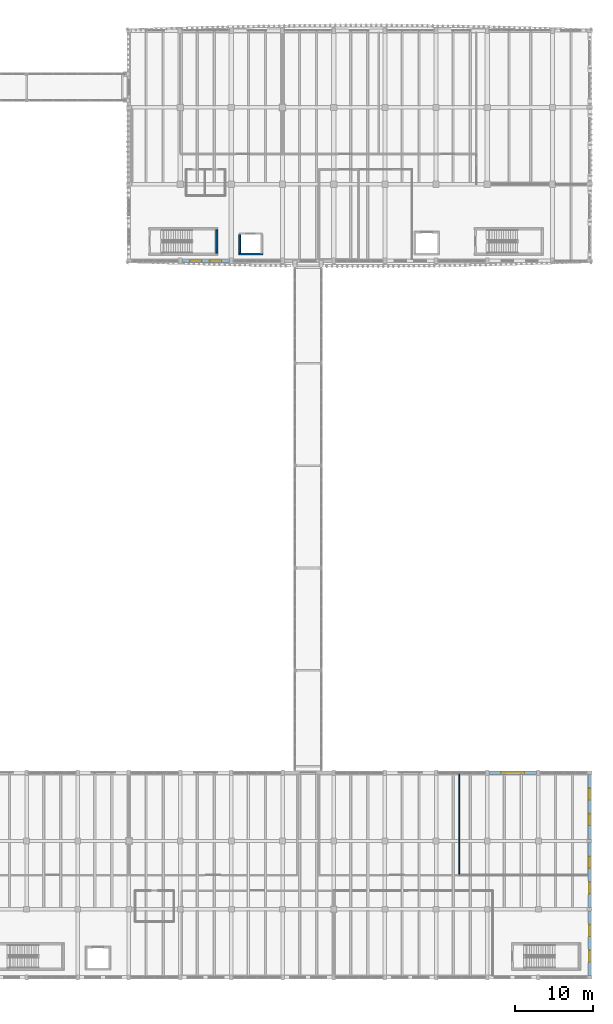
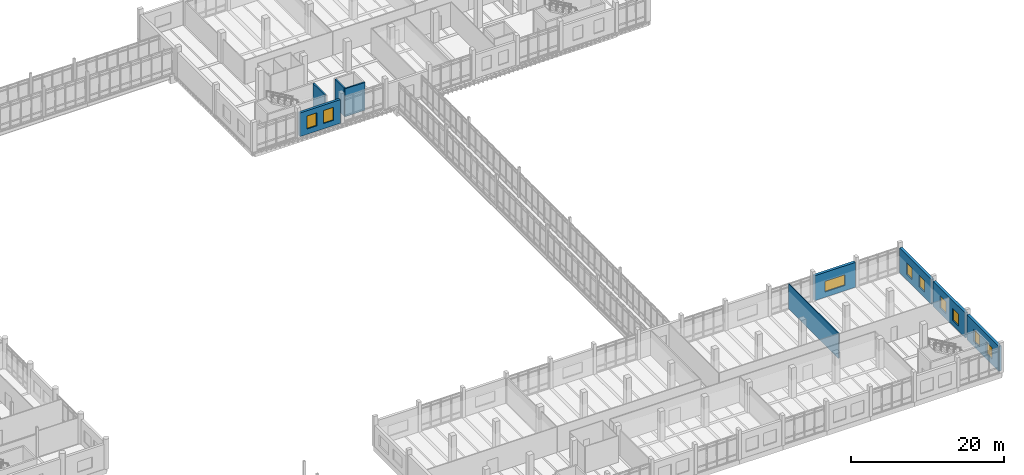
# One storey, part 96 of 125: 9 walls, 9 windows, 9 openings.
"""IFC4 building model written with IfcOpenShell, lengths in metres."""

from ifc_helpers import new_model, si_unit, direction, frame, frame_2d, origin, place, context, subcontext, project, spatial, rectangle, extrude, material, layer, layer_set, type_object, element, fill, save


model = new_model("IFC4")

# Units and contexts
model_context = context("Model", 3, precision=1e-05, world=origin(), true_north=direction((0.0, 1.0)))
body_context = subcontext(model_context, "Body", "Model", "MODEL_VIEW")
ifc_project = project(units=[si_unit("LENGTHUNIT", "METRE"), si_unit("AREAUNIT", "SQUARE_METRE"), si_unit("VOLUMEUNIT", "CUBIC_METRE"), si_unit("PLANEANGLEUNIT", "RADIAN"), si_unit("MASSUNIT", "GRAM", prefix="KILO")], contexts=[model_context])

# Site, building, storey
site_placement = place(None, origin())
site = spatial("IfcSite", under=ifc_project, at=site_placement, CompositionType="ELEMENT")
building_placement = place(site_placement, origin())
building = spatial("IfcBuilding", under=site, at=building_placement, Name="Dornvale Research Institute", CompositionType="ELEMENT")
storey_placement = place(building_placement, frame((0.0, 0.0, 5.39990234375)))
storey = spatial("IfcBuildingStorey", under=building, at=storey_placement, Name="L01", CompositionType="ELEMENT", Elevation=5.39990234375)

# Walls
ifc_material_1 = material(Name="Epoxy-Coated Aluminum Honeycomb Cleanroom Partition", Category="aluminium")
ifc_layer_1 = layer(ifc_material_1, 0.139892578125)
ifc_layer_set_1 = layer_set([ifc_layer_1], Name="Epoxy-Coated Aluminum Honeycomb Cleanroom Partition")
wall_type_1 = type_object("IfcWallType", Name="Partition_Cleanroom_140", PredefinedType="PARTITIONING", material=ifc_layer_set_1)
wall_1_placement = place(storey_placement, frame((161.39990234375, 13.284912109375, 0.0), z_axis=(0.0, 0.0, 1.0), x_axis=(0.0, 1.0, 0.0)))
element("IfcWall", 1, at=wall_1_placement, inside=storey, type_object=wall_type_1, Name="L01 V3 interior partition #215", PredefinedType="PARTITIONING", context=body_context, shape_type="SweptSolid", body=[
    extrude(rectangle(XDim=13.0751953125, YDim=0.139892578125, at=frame_2d((6.53759765625, 0.0))), origin(), (0.0, 0.0, 1.0), 3.97998046875),
])
ifc_material_2 = material(Name="Concrete f'c 45 MPa (C35/45)", Category="concrete")
ifc_layer_2 = layer(ifc_material_2, 0.25)
ifc_layer_set_2 = layer_set([ifc_layer_2], Name="Concrete f'c 45 MPa (C35/45)")
wall_type_2 = type_object("IfcWallType", Name="ShearWall_Core_250", PredefinedType="SHEAR", material=ifc_layer_set_2)
wall_2_placement = place(storey_placement, frame((130.125, 93.39990234375, 0.0), z_axis=(0.0, 0.0, 1.0), x_axis=(0.0, 1.0, 0.0)))
element("IfcWall", 2, at=wall_2_placement, inside=storey, type_object=wall_type_2, Name="L01 ST-3 shaft shear wall east", PredefinedType="SHEAR", context=body_context, shape_type="SweptSolid", body=[
    extrude(rectangle(XDim=3.0, YDim=0.25, at=frame_2d((1.5, 0.0))), origin(), (0.0, 0.0, 1.0), 4.460205078125),
])
ifc_material_3 = material(Name="Concrete f'c 45 MPa (C35/45)", Category="concrete")
ifc_layer_3 = layer(ifc_material_3, 0.219970703125)
ifc_layer_set_3 = layer_set([ifc_layer_3], Name="Concrete f'c 45 MPa (C35/45)")
wall_type_3 = type_object("IfcWallType", Name="ShearWall_Shaft_220", PredefinedType="SHEAR", material=ifc_layer_set_3)
wall_3_placement = place(storey_placement, frame((132.97998046875, 93.2900390625, 0.0), z_axis=(0.0, 0.0, 1.0), x_axis=(1.0, 0.0, 0.0)))
element("IfcWall", 3, at=wall_3_placement, inside=storey, type_object=wall_type_3, Name="L01 LP2 elevator shaft wall south", PredefinedType="SHEAR", context=body_context, shape_type="SweptSolid", body=[
    extrude(rectangle(XDim=3.0400390625, YDim=0.219970703125, at=frame_2d((1.52001953125, 0.0))), origin(), (0.0, 0.0, 1.0), 4.460205078125),
])
wall_4_placement = place(storey_placement, frame((133.090087890625, 93.39990234375, 0.0), z_axis=(0.0, 0.0, 1.0), x_axis=(0.0, 1.0, 0.0)))
element("IfcWall", 4, at=wall_4_placement, inside=storey, type_object=wall_type_3, Name="L01 LP2 elevator shaft wall west", PredefinedType="SHEAR", context=body_context, shape_type="SweptSolid", body=[
    extrude(rectangle(XDim=2.400146484375, YDim=0.219970703125, at=frame_2d((1.2001953125, 0.0))), origin(), (0.0, 0.0, 1.0), 4.460205078125),
])

# Wall, openings, windows
ifc_material_4 = material(Name="Catalan Pressed Brick and Insulated Cavity Assembly", Category="masonry")
ifc_layer_4 = layer(ifc_material_4, 0.360107421875)
ifc_layer_set_4 = layer_set([ifc_layer_4], Name="Catalan Pressed Brick and Insulated Cavity Assembly")
wall_type_4 = type_object("IfcWallType", Name="StandardWall_BrickCavity_360", PredefinedType="STANDARD", material=ifc_layer_set_4)
wall_5_placement = place(storey_placement, frame((131.75, 92.39990234375, 0.0), z_axis=(0.0, 0.0, 1.0), x_axis=(-1.0, 0.0, 0.0)))
wall_5 = element("IfcWall", 5, at=wall_5_placement, inside=storey, type_object=wall_type_4, Name="L01 V4 south exterior wall #215", PredefinedType="STANDARD", context=body_context, shape_type="SweptSolid", body=[
    extrude(rectangle(XDim=6.10009765625, YDim=0.360107421875, at=frame_2d((3.050048828125, 0.0))), origin(), (0.0, 0.0, 1.0), 3.780029296875),
])
opening_1_placement = place(wall_5_placement, frame((1.033203125, 0.0, 0.85009765625)))
opening_1 = element("IfcOpeningElement", 6, at=opening_1_placement, cuts=wall_5, Name="Opening W-39", PredefinedType="OPENING", context=body_context, shape_type="SweptSolid", body=[
    extrude(rectangle(XDim=1.5, YDim=2.080078125, at=frame_2d((0.75, 1.0400390625))), frame((0.0, 0.195068359375, 0.0), z_axis=(0.0, -1.0, 0.0), x_axis=(1.0, 0.0, 0.0)), (0.0, 0.0, 1.0), 0.39013671875),
])
opening_2_placement = place(wall_5_placement, frame((3.566650390625, 0.0, 0.85009765625)))
opening_2 = element("IfcOpeningElement", 7, at=opening_2_placement, cuts=wall_5, Name="Opening W-39", PredefinedType="OPENING", context=body_context, shape_type="SweptSolid", body=[
    extrude(rectangle(XDim=1.5, YDim=2.080078125, at=frame_2d((0.75, 1.0400390625))), frame((0.0, 0.195068359375, 0.0), z_axis=(0.0, -1.0, 0.0), x_axis=(1.0, 0.0, 0.0)), (0.0, 0.0, 1.0), 0.39013671875),
])
ifc_material_5 = material(Name="Low-E Argon Double Insulating Glazing Unit", Category="glass")
window_type_1 = type_object("IfcWindowType", Name="Window_Alu_1500x2080_39", PartitioningType="SINGLE_PANEL", PredefinedType="WINDOW", material=ifc_material_5)
window_1_placement = place(opening_1_placement, origin())
window_1 = element("IfcWindow", 8, at=window_1_placement, inside=storey, type_object=window_type_1, Name="L01 V4 facade window W-39 #286", OverallHeight=2.080078125, OverallWidth=1.5, PartitioningType="SINGLE_PANEL", PredefinedType="WINDOW", context=body_context, shape_type="SweptSolid", body=[
    extrude(rectangle(XDim=1.5, YDim=2.080078125, at=frame_2d((0.75, 1.0400390625))), frame((0.0, 0.030029296875, 0.0), z_axis=(0.0, -1.0, 0.0), x_axis=(1.0, 0.0, 0.0)), (0.0, 0.0, 1.0), 0.06005859375),
])
fill(opening_1, window_1)
window_2_placement = place(opening_2_placement, origin())
window_2 = element("IfcWindow", 9, at=window_2_placement, inside=storey, type_object=window_type_1, Name="L01 V4 facade window W-39 #287", OverallHeight=2.080078125, OverallWidth=1.5, PartitioningType="SINGLE_PANEL", PredefinedType="WINDOW", context=body_context, shape_type="SweptSolid", body=[
    extrude(rectangle(XDim=1.5, YDim=2.080078125, at=frame_2d((0.75, 1.0400390625))), frame((0.0, 0.030029296875, 0.0), z_axis=(0.0, -1.0, 0.0), x_axis=(1.0, 0.0, 0.0)), (0.0, 0.0, 1.0), 0.06005859375),
])
fill(opening_2, window_2)

# Wall, opening, window
ifc_material_6 = material(Name="Precast Concrete f'c 40 MPa (C32/40) and Glazed Terracotta Backup Wall", Category="masonry")
ifc_layer_5 = layer(ifc_material_6, 0.39990234375)
ifc_layer_set_5 = layer_set([ifc_layer_5], Name="Precast Concrete f'c 40 MPa (C32/40) and Glazed Terracotta Backup Wall")
wall_type_5 = type_object("IfcWallType", Name="StandardWall_CleanroomExt_400", PredefinedType="STANDARD", material=ifc_layer_set_5)
wall_6_placement = place(storey_placement, frame((165.22509765625, 26.39990234375, 0.0), z_axis=(0.0, 0.0, 1.0), x_axis=(1.0, 0.0, 0.0)))
wall_6 = element("IfcWall", 10, at=wall_6_placement, inside=storey, type_object=wall_type_5, Name="L01 V3 north exterior wall #138", PredefinedType="STANDARD", context=body_context, shape_type="SweptSolid", body=[
    extrude(rectangle(XDim=6.14990234375, YDim=0.39990234375, at=frame_2d((3.074951171875, 0.0))), origin(), (0.0, 0.0, 1.0), 3.97998046875),
])
opening_3_placement = place(wall_6_placement, frame((1.574951171875, 0.0, 0.85009765625)))
opening_3 = element("IfcOpeningElement", 11, at=opening_3_placement, cuts=wall_6, Name="Opening W-24", PredefinedType="OPENING", context=body_context, shape_type="SweptSolid", body=[
    extrude(rectangle(XDim=3.0, YDim=1.699951171875, at=frame_2d((1.5, 0.85009765625))), frame((0.0, 0.21484375, 0.0), z_axis=(0.0, -1.0, 0.0), x_axis=(1.0, 0.0, 0.0)), (0.0, 0.0, 1.0), 0.429931640625),
])
ifc_material_7 = material(Name="Low-E Argon Double Insulating Glazing Unit", Category="glass")
window_type_2 = type_object("IfcWindowType", Name="Window_Alu_3000x1700_24", PartitioningType="DOUBLE_PANEL_VERTICAL", PredefinedType="WINDOW", material=ifc_material_7)
window_3_placement = place(opening_3_placement, origin())
window_3 = element("IfcWindow", 12, at=window_3_placement, inside=storey, type_object=window_type_2, Name="L01 V3 facade window W-24 #171", OverallHeight=1.699951171875, OverallWidth=3.0, PartitioningType="DOUBLE_PANEL_VERTICAL", PredefinedType="WINDOW", context=body_context, shape_type="SweptSolid", body=[
    extrude(rectangle(XDim=3.0, YDim=1.699951171875, at=frame_2d((1.5, 0.85009765625))), frame((0.0, 0.030029296875, 0.0), z_axis=(0.0, -1.0, 0.0), x_axis=(1.0, 0.0, 0.0)), (0.0, 0.0, 1.0), 0.06005859375),
])
fill(opening_3, window_3)

# Wall, openings, windows
wall_7_placement = place(storey_placement, frame((178.199951171875, 26.175048828125, 0.0), z_axis=(0.0, 0.0, 1.0), x_axis=(0.0, -1.0, 0.0)))
wall_7 = element("IfcWall", 13, at=wall_7_placement, inside=storey, type_object=wall_type_5, Name="L01 V3 east exterior wall #139", PredefinedType="STANDARD", context=body_context, shape_type="SweptSolid", body=[
    extrude(rectangle(XDim=8.35009765625, YDim=0.39990234375, at=frame_2d((4.175048828125, 0.0))), origin(), (0.0, 0.0, 1.0), 3.97998046875),
])
opening_4_placement = place(wall_7_placement, frame((1.783203125, 0.0, 0.85009765625)))
opening_4 = element("IfcOpeningElement", 14, at=opening_4_placement, cuts=wall_7, Name="Opening W-27", PredefinedType="OPENING", context=body_context, shape_type="SweptSolid", body=[
    extrude(rectangle(XDim=1.5, YDim=1.8798828125, at=frame_2d((0.75, 0.93994140625))), frame((0.0, 0.21484375, 0.0), z_axis=(0.0, -1.0, 0.0), x_axis=(1.0, 0.0, 0.0)), (0.0, 0.0, 1.0), 0.429931640625),
])
opening_5_placement = place(wall_7_placement, frame((5.066650390625, 0.0, 0.85009765625)))
opening_5 = element("IfcOpeningElement", 15, at=opening_5_placement, cuts=wall_7, Name="Opening W-27", PredefinedType="OPENING", context=body_context, shape_type="SweptSolid", body=[
    extrude(rectangle(XDim=1.5, YDim=1.8798828125, at=frame_2d((0.75, 0.93994140625))), frame((0.0, 0.21484375, 0.0), z_axis=(0.0, -1.0, 0.0), x_axis=(1.0, 0.0, 0.0)), (0.0, 0.0, 1.0), 0.429931640625),
])
ifc_material_8 = material(Name="Low-E Argon Double Insulating Glazing Unit", Category="glass")
window_type_3 = type_object("IfcWindowType", Name="Window_Alu_1500x1880_27", PartitioningType="SINGLE_PANEL", PredefinedType="WINDOW", material=ifc_material_8)
window_4_placement = place(opening_4_placement, origin())
window_4 = element("IfcWindow", 16, at=window_4_placement, inside=storey, type_object=window_type_3, Name="L01 V3 facade window W-27 #172", OverallHeight=1.8798828125, OverallWidth=1.5, PartitioningType="SINGLE_PANEL", PredefinedType="WINDOW", context=body_context, shape_type="SweptSolid", body=[
    extrude(rectangle(XDim=1.5, YDim=1.8798828125, at=frame_2d((0.75, 0.93994140625))), frame((0.0, 0.030029296875, 0.0), z_axis=(0.0, -1.0, 0.0), x_axis=(1.0, 0.0, 0.0)), (0.0, 0.0, 1.0), 0.06005859375),
])
fill(opening_4, window_4)
window_5_placement = place(opening_5_placement, origin())
window_5 = element("IfcWindow", 17, at=window_5_placement, inside=storey, type_object=window_type_3, Name="L01 V3 facade window W-27 #173", OverallHeight=1.8798828125, OverallWidth=1.5, PartitioningType="SINGLE_PANEL", PredefinedType="WINDOW", context=body_context, shape_type="SweptSolid", body=[
    extrude(rectangle(XDim=1.5, YDim=1.8798828125, at=frame_2d((0.75, 0.93994140625))), frame((0.0, 0.030029296875, 0.0), z_axis=(0.0, -1.0, 0.0), x_axis=(1.0, 0.0, 0.0)), (0.0, 0.0, 1.0), 0.06005859375),
])
fill(opening_5, window_5)

wall_8_placement = place(storey_placement, frame((178.199951171875, 17.375, 0.0), z_axis=(0.0, 0.0, 1.0), x_axis=(0.0, -1.0, 0.0)))
wall_8 = element("IfcWall", 18, at=wall_8_placement, inside=storey, type_object=wall_type_5, Name="L01 V3 east exterior wall #140", PredefinedType="STANDARD", context=body_context, shape_type="SweptSolid", body=[
    extrude(rectangle(XDim=8.35009765625, YDim=0.39990234375, at=frame_2d((4.175048828125, 0.0))), origin(), (0.0, 0.0, 1.0), 3.97998046875),
])
opening_6_placement = place(wall_8_placement, frame((1.783203125, 0.0, 0.85009765625)))
opening_6 = element("IfcOpeningElement", 19, at=opening_6_placement, cuts=wall_8, Name="Opening W-27", PredefinedType="OPENING", context=body_context, shape_type="SweptSolid", body=[
    extrude(rectangle(XDim=1.5, YDim=1.8798828125, at=frame_2d((0.75, 0.93994140625))), frame((0.0, 0.21484375, 0.0), z_axis=(0.0, -1.0, 0.0), x_axis=(1.0, 0.0, 0.0)), (0.0, 0.0, 1.0), 0.429931640625),
])
opening_7_placement = place(wall_8_placement, frame((5.066650390625, 0.0, 0.85009765625)))
opening_7 = element("IfcOpeningElement", 20, at=opening_7_placement, cuts=wall_8, Name="Opening W-27", PredefinedType="OPENING", context=body_context, shape_type="SweptSolid", body=[
    extrude(rectangle(XDim=1.5, YDim=1.8798828125, at=frame_2d((0.75, 0.93994140625))), frame((0.0, 0.21484375, 0.0), z_axis=(0.0, -1.0, 0.0), x_axis=(1.0, 0.0, 0.0)), (0.0, 0.0, 1.0), 0.429931640625),
])
window_6_placement = place(opening_6_placement, origin())
window_6 = element("IfcWindow", 21, at=window_6_placement, inside=storey, type_object=window_type_3, Name="L01 V3 facade window W-27 #174", OverallHeight=1.8798828125, OverallWidth=1.5, PartitioningType="SINGLE_PANEL", PredefinedType="WINDOW", context=body_context, shape_type="SweptSolid", body=[
    extrude(rectangle(XDim=1.5, YDim=1.8798828125, at=frame_2d((0.75, 0.93994140625))), frame((0.0, 0.030029296875, 0.0), z_axis=(0.0, -1.0, 0.0), x_axis=(1.0, 0.0, 0.0)), (0.0, 0.0, 1.0), 0.06005859375),
])
fill(opening_6, window_6)
window_7_placement = place(opening_7_placement, origin())
window_7 = element("IfcWindow", 22, at=window_7_placement, inside=storey, type_object=window_type_3, Name="L01 V3 facade window W-27 #175", OverallHeight=1.8798828125, OverallWidth=1.5, PartitioningType="SINGLE_PANEL", PredefinedType="WINDOW", context=body_context, shape_type="SweptSolid", body=[
    extrude(rectangle(XDim=1.5, YDim=1.8798828125, at=frame_2d((0.75, 0.93994140625))), frame((0.0, 0.030029296875, 0.0), z_axis=(0.0, -1.0, 0.0), x_axis=(1.0, 0.0, 0.0)), (0.0, 0.0, 1.0), 0.06005859375),
])
fill(opening_7, window_7)

wall_9_placement = place(storey_placement, frame((178.199951171875, 8.574951171875, 0.0), z_axis=(0.0, 0.0, 1.0), x_axis=(0.0, -1.0, 0.0)))
wall_9 = element("IfcWall", 23, at=wall_9_placement, inside=storey, type_object=wall_type_5, Name="L01 V3 east exterior wall #141", PredefinedType="STANDARD", context=body_context, shape_type="SweptSolid", body=[
    extrude(rectangle(XDim=8.349853515625, YDim=0.39990234375, at=frame_2d((4.1748046875, 0.0))), origin(), (0.0, 0.0, 1.0), 3.97998046875),
])
opening_8_placement = place(wall_9_placement, frame((1.783203125, 0.0, 0.85009765625)))
opening_8 = element("IfcOpeningElement", 24, at=opening_8_placement, cuts=wall_9, Name="Opening W-27", PredefinedType="OPENING", context=body_context, shape_type="SweptSolid", body=[
    extrude(rectangle(XDim=1.5, YDim=1.8798828125, at=frame_2d((0.75, 0.93994140625))), frame((0.0, 0.21484375, 0.0), z_axis=(0.0, -1.0, 0.0), x_axis=(1.0, 0.0, 0.0)), (0.0, 0.0, 1.0), 0.429931640625),
])
opening_9_placement = place(wall_9_placement, frame((5.066650390625, 0.0, 0.85009765625)))
opening_9 = element("IfcOpeningElement", 25, at=opening_9_placement, cuts=wall_9, Name="Opening W-27", PredefinedType="OPENING", context=body_context, shape_type="SweptSolid", body=[
    extrude(rectangle(XDim=1.5, YDim=1.8798828125, at=frame_2d((0.75, 0.93994140625))), frame((0.0, 0.21484375, 0.0), z_axis=(0.0, -1.0, 0.0), x_axis=(1.0, 0.0, 0.0)), (0.0, 0.0, 1.0), 0.429931640625),
])
window_8_placement = place(opening_8_placement, origin())
window_8 = element("IfcWindow", 26, at=window_8_placement, inside=storey, type_object=window_type_3, Name="L01 V3 facade window W-27 #176", OverallHeight=1.8798828125, OverallWidth=1.5, PartitioningType="SINGLE_PANEL", PredefinedType="WINDOW", context=body_context, shape_type="SweptSolid", body=[
    extrude(rectangle(XDim=1.5, YDim=1.8798828125, at=frame_2d((0.75, 0.93994140625))), frame((0.0, 0.030029296875, 0.0), z_axis=(0.0, -1.0, 0.0), x_axis=(1.0, 0.0, 0.0)), (0.0, 0.0, 1.0), 0.06005859375),
])
fill(opening_8, window_8)
window_9_placement = place(opening_9_placement, origin())
window_9 = element("IfcWindow", 27, at=window_9_placement, inside=storey, type_object=window_type_3, Name="L01 V3 facade window W-27 #177", OverallHeight=1.8798828125, OverallWidth=1.5, PartitioningType="SINGLE_PANEL", PredefinedType="WINDOW", context=body_context, shape_type="SweptSolid", body=[
    extrude(rectangle(XDim=1.5, YDim=1.8798828125, at=frame_2d((0.75, 0.93994140625))), frame((0.0, 0.030029296875, 0.0), z_axis=(0.0, -1.0, 0.0), x_axis=(1.0, 0.0, 0.0)), (0.0, 0.0, 1.0), 0.06005859375),
])
fill(opening_9, window_9)

save(model, "model.ifc")
